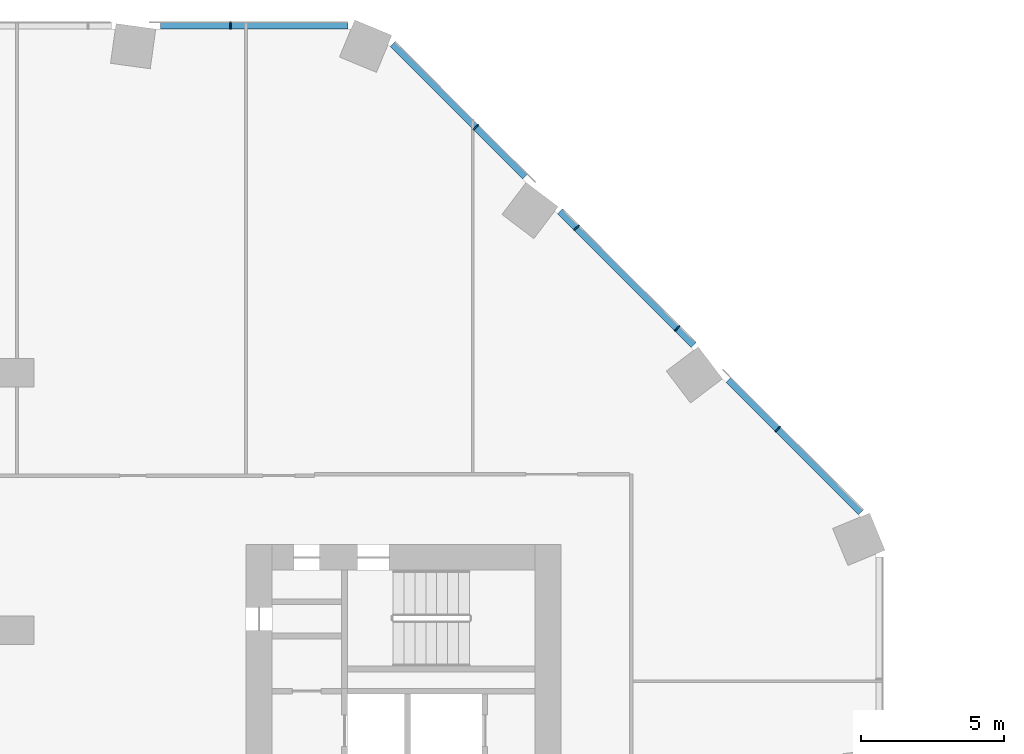
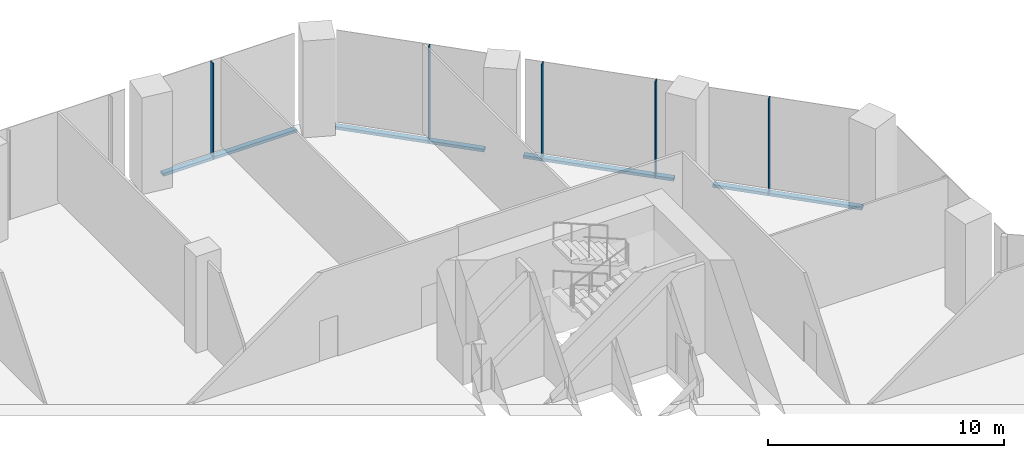
# One storey, part 11 of 29: 9 members, 2 elements without a shape of their own.
"""IFC4 building model written with IfcOpenShell, lengths in metres."""

from ifc_helpers import new_model, si_unit, direction, frame, origin, origin_2d, place, context, subcontext, project, spatial, rectangle, extrude, material, material_profile, profile_set, type_object, element, aggregate, save


model = new_model("IFC4")

# Units and contexts
model_context = context("Model", 3, precision=1e-05, world=origin(), true_north=direction((0.0, 1.0)))
body_context = subcontext(model_context, "Body", "Model", "MODEL_VIEW")
ifc_project = project(units=[si_unit("LENGTHUNIT", "METRE"), si_unit("AREAUNIT", "SQUARE_METRE"), si_unit("VOLUMEUNIT", "CUBIC_METRE"), si_unit("PLANEANGLEUNIT", "RADIAN"), si_unit("MASSUNIT", "GRAM", prefix="KILO")], contexts=[model_context])

# Site, building, storey
site_placement = place(None, origin())
site = spatial("IfcSite", under=ifc_project, at=site_placement, CompositionType="ELEMENT")
building_placement = place(site_placement, origin())
building = spatial("IfcBuilding", under=site, at=building_placement, Name="Orlundy Tower", CompositionType="ELEMENT")
storey_placement = place(building_placement, frame((0.0, 0.0, 15.5)))
storey = spatial("IfcBuildingStorey", under=building, at=storey_placement, Name="L02", CompositionType="ELEMENT", Elevation=15.5)

# Curtain wall, member
ifc_material_1 = material(Name="Aluminium bronze anodised", Category="aluminium")
curtain_wall_type = type_object("IfcCurtainWallType", Name="CW2 wall", PredefinedType="NOTDEFINED", material=ifc_material_1)
curtain_wall_1_placement = place(storey_placement, origin())
curtain_wall_1 = element("IfcCurtainWall", 1, at=curtain_wall_1_placement, inside=storey, type_object=curtain_wall_type, Name="CW2 run 015", PredefinedType="NOTDEFINED")
ifc_material_2 = material(Name="Aluminium bronze anodised", Category="aluminium")
ifc_material_profile_1 = material_profile(ifc_material_2, rectangle(XDim=0.25, YDim=0.050048828125, at=origin_2d()), Name="CW2 mullion 50x250")
ifc_profile_set_1 = profile_set([ifc_material_profile_1], Name="Aluminium bronze anodised")
member_type_1 = type_object("IfcMemberType", Name="CW2 mullion 50x250", PredefinedType="MULLION", material=ifc_profile_set_1)
member_1_placement = place(storey_placement, frame((7.45556640625, 30.125, -0.39990234375), z_axis=(0.0, 0.0, 1.0), x_axis=(0.0, 1.0, 0.0)))
member_1 = element("IfcMember", 2, at=member_1_placement, type_object=member_type_1, Name="CW2 mullion 43", PredefinedType="MULLION", context=body_context, shape_type="SweptSolid", body=[
    extrude(rectangle(XDim=0.25, YDim=0.050048828125, at=origin_2d()), origin(), (0.0, 0.0, 1.0), 5.0),
])

# Curtain wall, members
curtain_wall_2_placement = place(storey_placement, origin())
curtain_wall_2 = element("IfcCurtainWall", 3, at=curtain_wall_2_placement, inside=storey, type_object=curtain_wall_type, Name="CW2 run 016", PredefinedType="NOTDEFINED")
member_2_placement = place(storey_placement, frame((16.029296875, 26.573486328125, -0.39990234375), z_axis=(0.0, 0.0, 1.0), x_axis=(0.707106781187, 0.707106781187, 0.0)))
member_2 = element("IfcMember", 4, at=member_2_placement, type_object=member_type_1, Name="CW2 mullion 45", PredefinedType="MULLION", context=body_context, shape_type="SweptSolid", body=[
    extrude(rectangle(XDim=0.25, YDim=0.050048828125, at=origin_2d()), origin(), (0.0, 0.0, 1.0), 5.0),
])
member_3_placement = place(storey_placement, frame((19.5439453125, 23.058837890625, -0.39990234375), z_axis=(0.0, 0.0, 1.0), x_axis=(0.707106781187, 0.707106781187, 0.0)))
member_3 = element("IfcMember", 5, at=member_3_placement, type_object=member_type_1, Name="CW2 mullion 46", PredefinedType="MULLION", context=body_context, shape_type="SweptSolid", body=[
    extrude(rectangle(XDim=0.25, YDim=0.050048828125, at=origin_2d()), origin(), (0.0, 0.0, 1.0), 5.0),
])
member_4_placement = place(storey_placement, frame((23.058837890625, 19.5439453125, -0.39990234375), z_axis=(0.0, 0.0, 1.0), x_axis=(0.707106781187, 0.707106781187, 0.0)))
member_4 = element("IfcMember", 6, at=member_4_placement, type_object=member_type_1, Name="CW2 mullion 47", PredefinedType="MULLION", context=body_context, shape_type="SweptSolid", body=[
    extrude(rectangle(XDim=0.25, YDim=0.050048828125, at=origin_2d()), origin(), (0.0, 0.0, 1.0), 5.0),
])
member_5_placement = place(storey_placement, frame((26.573486328125, 16.029296875, -0.39990234375), z_axis=(0.0, 0.0, 1.0), x_axis=(0.707106781187, 0.707106781187, 0.0)))
member_5 = element("IfcMember", 7, at=member_5_placement, type_object=member_type_1, Name="CW2 mullion 48", PredefinedType="MULLION", context=body_context, shape_type="SweptSolid", body=[
    extrude(rectangle(XDim=0.25, YDim=0.050048828125, at=origin_2d()), origin(), (0.0, 0.0, 1.0), 5.0),
])

# Member
ifc_material_3 = material(Name="Aluminium bronze anodised", Category="aluminium")
ifc_material_profile_2 = material_profile(ifc_material_3, rectangle(XDim=0.25, YDim=0.14990234375, at=origin_2d()), Name="CW2 transom 250x150")
ifc_profile_set_2 = profile_set([ifc_material_profile_2], Name="Aluminium bronze anodised")
member_type_2 = type_object("IfcMemberType", Name="CW2 transom 250x150", PredefinedType="USERDEFINED", material=ifc_profile_set_2)
member_6_placement = place(storey_placement, frame((5.01708984375, 30.125, -0.324951171875), z_axis=(1.0, 0.0, 0.0), x_axis=(0.0, 1.0, 0.0)))
member_6 = element("IfcMember", 8, at=member_6_placement, type_object=member_type_2, Name="CW2 transom", ObjectType="TRANSOM", PredefinedType="USERDEFINED", context=body_context, shape_type="SweptSolid", body=[
    extrude(rectangle(XDim=0.25, YDim=0.14990234375, at=origin_2d()), origin(), (0.0, 0.0, 1.0), 6.541259765625),
])

aggregate(curtain_wall_1, [member_1, member_6])

member_7_placement = place(storey_placement, frame((13.128662109375, 29.47412109375, -0.324951171875), z_axis=(0.707106781187, -0.707106781187, 0.0), x_axis=(0.707106781187, 0.707106781187, 0.0)))
member_7 = element("IfcMember", 9, at=member_7_placement, type_object=member_type_2, Name="CW2 transom", ObjectType="TRANSOM", PredefinedType="USERDEFINED", context=body_context, shape_type="SweptSolid", body=[
    extrude(rectangle(XDim=0.25, YDim=0.14990234375, at=origin_2d()), origin(), (0.0, 0.0, 1.0), 6.541015625),
])

member_8_placement = place(storey_placement, frame((18.96728515625, 23.635498046875, -0.324951171875), z_axis=(0.707106781187, -0.707106781187, 0.0), x_axis=(0.707106781187, 0.707106781187, 0.0)))
member_8 = element("IfcMember", 10, at=member_8_placement, type_object=member_type_2, Name="CW2 transom", ObjectType="TRANSOM", PredefinedType="USERDEFINED", context=body_context, shape_type="SweptSolid", body=[
    extrude(rectangle(XDim=0.25, YDim=0.14990234375, at=origin_2d()), origin(), (0.0, 0.0, 1.0), 6.601806640625),
])

member_9_placement = place(storey_placement, frame((24.848876953125, 17.75390625, -0.324951171875), z_axis=(0.707106781187, -0.707106781187, 0.0), x_axis=(0.707106781187, 0.707106781187, 0.0)))
member_9 = element("IfcMember", 11, at=member_9_placement, type_object=member_type_2, Name="CW2 transom", ObjectType="TRANSOM", PredefinedType="USERDEFINED", context=body_context, shape_type="SweptSolid", body=[
    extrude(rectangle(XDim=0.25, YDim=0.14990234375, at=origin_2d()), origin(), (0.0, 0.0, 1.0), 6.541015625),
])

aggregate(curtain_wall_2, [member_2, member_3, member_4, member_5, member_7, member_8, member_9])

save(model, "model.ifc")
